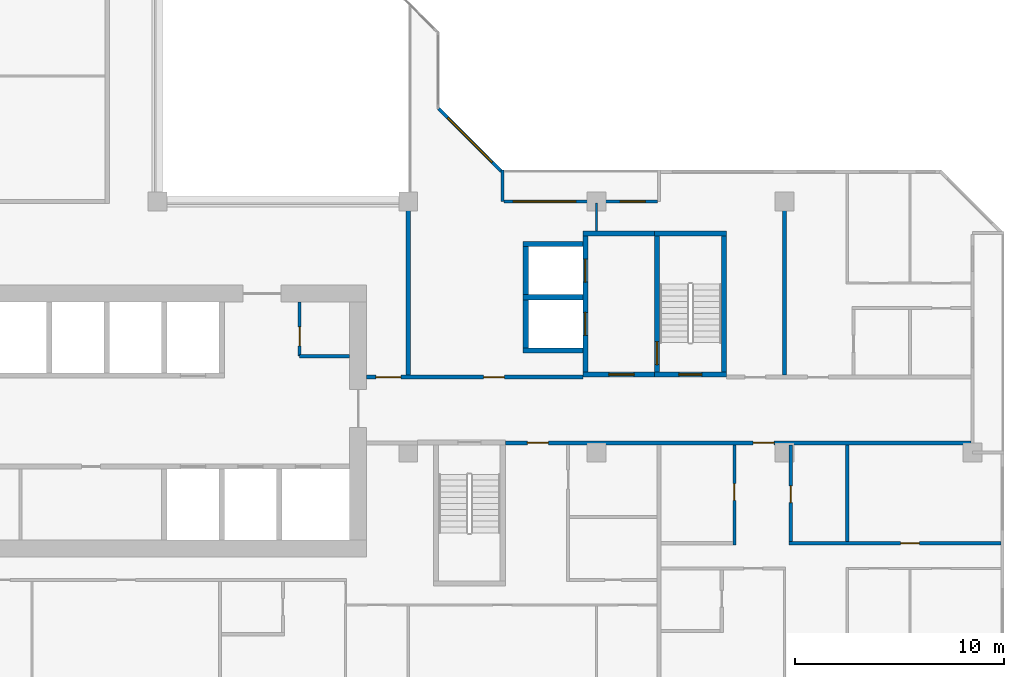
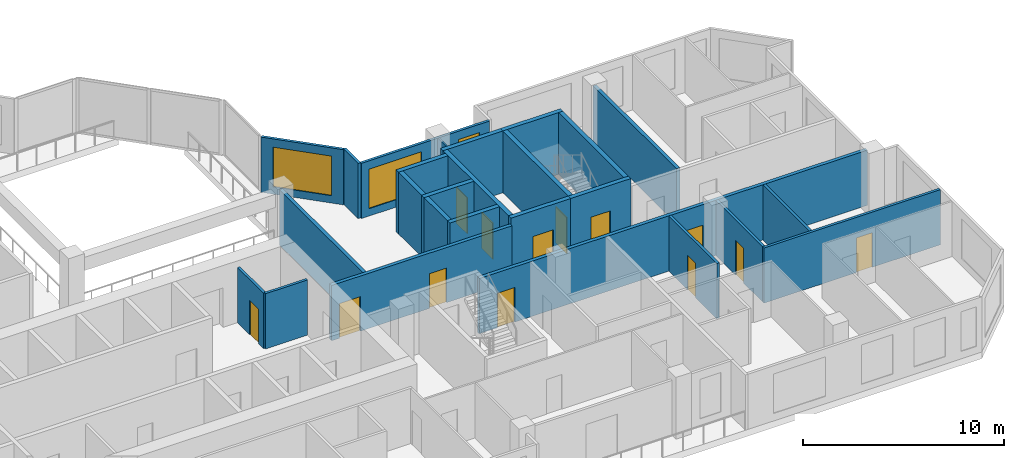
# One storey, part 7 of 14: 26 walls, 13 doors, 3 windows, 16 openings.
"""IFC4 building model written with IfcOpenShell, lengths in metres."""

from ifc_helpers import new_model, si_unit, direction, frame, frame_2d, origin, place, context, subcontext, project, spatial, rectangle, extrude, material, layer, layer_set, type_object, element, fill, save


model = new_model("IFC4")

# Units and contexts
model_context = context("Model", 3, precision=1e-05, world=origin(), true_north=direction((0.0, 1.0)))
body_context = subcontext(model_context, "Body", "Model", "MODEL_VIEW")
ifc_project = project(units=[si_unit("LENGTHUNIT", "METRE"), si_unit("AREAUNIT", "SQUARE_METRE"), si_unit("VOLUMEUNIT", "CUBIC_METRE"), si_unit("PLANEANGLEUNIT", "RADIAN"), si_unit("MASSUNIT", "GRAM", prefix="KILO")], contexts=[model_context])

# Site, building, storey
site_placement = place(None, origin())
site = spatial("IfcSite", under=ifc_project, at=site_placement, CompositionType="ELEMENT")
building_placement = place(site_placement, origin())
building = spatial("IfcBuilding", under=site, at=building_placement, Name="Chenar Terraces", CompositionType="ELEMENT")
storey_placement = place(building_placement, frame((0.0, 0.0, 168.64990234375)))
storey = spatial("IfcBuildingStorey", under=building, at=storey_placement, Name="L38", CompositionType="ELEMENT", Elevation=168.64990234375)

# Wall, opening, door
ifc_material_1 = material(Name="Gypsum board on steel studs", Category="steel")
ifc_layer_1 = layer(ifc_material_1, 0.14990234375)
ifc_layer_set_1 = layer_set([ifc_layer_1], Name="Gypsum board on steel studs")
wall_type_1 = type_object("IfcWallType", Name="Core partition 150 gypsum board", PredefinedType="PARTITIONING", material=ifc_layer_set_1)
wall_1_placement = place(storey_placement, frame((30.800048828125, 16.60009765625, 0.0), z_axis=(0.0, 0.0, 1.0), x_axis=(0.0, 1.0, 0.0)))
wall_1 = element("IfcWall", 1, at=wall_1_placement, inside=storey, type_object=wall_type_1, Name="Core partition CP1 vestibule room west wall", PredefinedType="PARTITIONING", context=body_context, shape_type="SweptSolid", body=[
    extrude(rectangle(XDim=2.599853515625, YDim=0.14990234375, at=frame_2d((1.2998046875, 0.0))), origin(), (0.0, 0.0, 1.0), 3.35009765625),
])
opening_1_placement = place(wall_1_placement, frame((0.5, 0.0, 0.0)))
opening_1 = element("IfcOpeningElement", 2, at=opening_1_placement, cuts=wall_1, Name="Opening DL38-C14", PredefinedType="OPENING", context=body_context, shape_type="SweptSolid", body=[
    extrude(rectangle(XDim=0.89990234375, YDim=2.10009765625, at=frame_2d((0.449951171875, 1.050048828125))), frame((0.0, 0.0849609375, 0.0), z_axis=(0.0, -1.0, 0.0), x_axis=(1.0, 0.0, 0.0)), (0.0, 0.0, 1.0), 0.169921875),
])
ifc_material_2 = material(Name="Steel-framed fire-resisting door leaf", Category="steel")
door_type_1 = type_object("IfcDoorType", Name="Riser fire door FD60 900 x 2100", OperationType="SINGLE_SWING_LEFT", PredefinedType="DOOR", material=ifc_material_2)
door_1_placement = place(opening_1_placement, frame((0.89990234375, 0.0, 0.0), z_axis=(0.0, 0.0, 1.0), x_axis=(-1.0, 0.0, 0.0)))
door_1 = element("IfcDoor", 3, at=door_1_placement, inside=storey, type_object=door_type_1, Name="Core room door DL38-C14", OperationType="SINGLE_SWING_RIGHT", OverallHeight=2.10009765625, OverallWidth=0.89990234375, PredefinedType="DOOR", context=body_context, shape_type="SweptSolid", body=[
    extrude(rectangle(XDim=0.89990234375, YDim=2.10009765625, at=frame_2d((0.449951171875, 1.050048828125))), frame((0.0, 0.02490234375, 0.0), z_axis=(0.0, -1.0, 0.0), x_axis=(1.0, 0.0, 0.0)), (0.0, 0.0, 1.0), 0.050048828125),
])
fill(opening_1, door_1)

# Wall
wall_2_placement = place(storey_placement, frame((30.800048828125, 16.60009765625, 0.0), z_axis=(0.0, 0.0, 1.0), x_axis=(1.0, 0.0, 0.0)))
element("IfcWall", 4, at=wall_2_placement, inside=storey, type_object=wall_type_1, Name="Core partition CP1 vestibule room south wall", PredefinedType="PARTITIONING", context=body_context, shape_type="SweptSolid", body=[
    extrude(rectangle(XDim=2.39990234375, YDim=0.14990234375, at=frame_2d((1.199951171875, 0.0))), origin(), (0.0, 0.0, 1.0), 3.35009765625),
])

# Wall, opening, door
ifc_material_3 = material(Name="Concrete C60/75", Category="concrete")
ifc_layer_2 = layer(ifc_material_3, 0.25)
ifc_layer_set_2 = layer_set([ifc_layer_2], Name="Concrete C60/75")
wall_type_2 = type_object("IfcWallType", Name="Core wall 250 Concrete C60/75", PredefinedType="SHEAR", material=ifc_layer_set_2)
wall_3_placement = place(storey_placement, frame((47.77490234375, 15.72509765625, 0.0), z_axis=(0.0, 0.0, 1.0), x_axis=(1.0, 0.0, 0.0)))
wall_3 = element("IfcWall", 5, at=wall_3_placement, inside=storey, type_object=wall_type_2, Name="Core wall ST3_S L38", PredefinedType="SHEAR", context=body_context, shape_type="SweptSolid", body=[
    extrude(rectangle(XDim=3.4501953125, YDim=0.25, at=frame_2d((1.72509765625, 0.0))), origin(), (0.0, 0.0, 1.0), 3.75),
])
opening_2_placement = place(wall_3_placement, frame((1.175048828125, 0.0, 0.0)))
opening_2 = element("IfcOpeningElement", 6, at=opening_2_placement, cuts=wall_3, Name="Opening DL38-C8", PredefinedType="OPENING", context=body_context, shape_type="SweptSolid", body=[
    extrude(rectangle(XDim=1.10009765625, YDim=2.199951171875, at=frame_2d((0.550048828125, 1.10009765625))), frame((0.0, 0.135009765625, 0.0), z_axis=(0.0, -1.0, 0.0), x_axis=(1.0, 0.0, 0.0)), (0.0, 0.0, 1.0), 0.27001953125),
])
ifc_material_4 = material(Name="Steel-framed fire-resisting door leaf", Category="steel")
door_type_2 = type_object("IfcDoorType", Name="Stair fire door FD60 1100 x 2200", OperationType="SINGLE_SWING_LEFT", PredefinedType="DOOR", material=ifc_material_4)
door_2_placement = place(opening_2_placement, frame((1.10009765625, 0.0, 0.0), z_axis=(0.0, 0.0, 1.0), x_axis=(-1.0, 0.0, 0.0)))
door_2 = element("IfcDoor", 7, at=door_2_placement, inside=storey, type_object=door_type_2, Name="Stair door DL38-C8", OperationType="SINGLE_SWING_LEFT", OverallHeight=2.199951171875, OverallWidth=1.10009765625, PredefinedType="DOOR", context=body_context, shape_type="SweptSolid", body=[
    extrude(rectangle(XDim=1.10009765625, YDim=2.199951171875, at=frame_2d((0.550048828125, 1.10009765625))), frame((0.0, 0.02490234375, 0.0), z_axis=(0.0, -1.0, 0.0), x_axis=(1.0, 0.0, 0.0)), (0.0, 0.0, 1.0), 0.050048828125),
])
fill(opening_2, door_2)

# Wall
wall_4_placement = place(storey_placement, frame((47.77490234375, 22.47509765625, 0.0), z_axis=(0.0, 0.0, 1.0), x_axis=(1.0, 0.0, 0.0)))
element("IfcWall", 8, at=wall_4_placement, inside=storey, type_object=wall_type_2, Name="Core wall ST3_N L38", PredefinedType="SHEAR", context=body_context, shape_type="SweptSolid", body=[
    extrude(rectangle(XDim=3.4501953125, YDim=0.25, at=frame_2d((1.72509765625, 0.0))), origin(), (0.0, 0.0, 1.0), 3.75),
])

# Wall, opening, door
wall_5_placement = place(storey_placement, frame((47.89990234375, 15.85009765625, 0.0), z_axis=(0.0, 0.0, 1.0), x_axis=(0.0, 1.0, 0.0)))
wall_5 = element("IfcWall", 9, at=wall_5_placement, inside=storey, type_object=wall_type_2, Name="Core wall ST3_W L38", PredefinedType="SHEAR", context=body_context, shape_type="SweptSolid", body=[
    extrude(rectangle(XDim=6.5, YDim=0.25, at=frame_2d((3.25, 0.0))), origin(), (0.0, 0.0, 1.0), 3.75),
])
opening_3_placement = place(wall_5_placement, frame((0.35009765625, 0.0, 0.0)))
opening_3 = element("IfcOpeningElement", 10, at=opening_3_placement, cuts=wall_5, Name="Opening DL38-C11", PredefinedType="OPENING", context=body_context, shape_type="SweptSolid", body=[
    extrude(rectangle(XDim=1.10009765625, YDim=2.199951171875, at=frame_2d((0.550048828125, 1.10009765625))), frame((0.0, 0.135009765625, 0.0), z_axis=(0.0, -1.0, 0.0), x_axis=(1.0, 0.0, 0.0)), (0.0, 0.0, 1.0), 0.27001953125),
])
door_3_placement = place(opening_3_placement, frame((1.10009765625, 0.0, 0.0), z_axis=(0.0, 0.0, 1.0), x_axis=(-1.0, 0.0, 0.0)))
door_3 = element("IfcDoor", 11, at=door_3_placement, inside=storey, type_object=door_type_2, Name="Stair door DL38-C11", OperationType="SINGLE_SWING_RIGHT", OverallHeight=2.199951171875, OverallWidth=1.10009765625, PredefinedType="DOOR", context=body_context, shape_type="SweptSolid", body=[
    extrude(rectangle(XDim=1.10009765625, YDim=2.199951171875, at=frame_2d((0.550048828125, 1.10009765625))), frame((0.0, 0.02490234375, 0.0), z_axis=(0.0, -1.0, 0.0), x_axis=(1.0, 0.0, 0.0)), (0.0, 0.0, 1.0), 0.050048828125),
])
fill(opening_3, door_3)

# Wall
wall_6_placement = place(storey_placement, frame((51.10009765625, 15.85009765625, 0.0), z_axis=(0.0, 0.0, 1.0), x_axis=(0.0, 1.0, 0.0)))
element("IfcWall", 12, at=wall_6_placement, inside=storey, type_object=wall_type_2, Name="Core wall ST3_E L38", PredefinedType="SHEAR", context=body_context, shape_type="SweptSolid", body=[
    extrude(rectangle(XDim=6.5, YDim=0.25, at=frame_2d((3.25, 0.0))), origin(), (0.0, 0.0, 1.0), 3.75),
])

# Wall, opening, door
wall_7_placement = place(storey_placement, frame((44.35009765625, 15.72509765625, 0.0), z_axis=(0.0, 0.0, 1.0), x_axis=(1.0, 0.0, 0.0)))
wall_7 = element("IfcWall", 13, at=wall_7_placement, inside=storey, type_object=wall_type_2, Name="Core wall F3_LS L38", PredefinedType="SHEAR", context=body_context, shape_type="SweptSolid", body=[
    extrude(rectangle(XDim=3.4248046875, YDim=0.25, at=frame_2d((1.71240234375, 0.0))), origin(), (0.0, 0.0, 1.0), 3.75),
])
opening_4_placement = place(wall_7_placement, frame((1.25, 0.0, 0.0)))
opening_4 = element("IfcOpeningElement", 14, at=opening_4_placement, cuts=wall_7, Name="Opening DL38-C10", PredefinedType="OPENING", context=body_context, shape_type="SweptSolid", body=[
    extrude(rectangle(XDim=1.199951171875, YDim=2.199951171875, at=frame_2d((0.60009765625, 1.10009765625))), frame((0.0, 0.135009765625, 0.0), z_axis=(0.0, -1.0, 0.0), x_axis=(1.0, 0.0, 0.0)), (0.0, 0.0, 1.0), 0.27001953125),
])
ifc_material_5 = material(Name="Steel-framed fire-resisting door leaf", Category="steel")
door_type_3 = type_object("IfcDoorType", Name="Lobby fire door FD60 1200 x 2200", OperationType="SINGLE_SWING_LEFT", PredefinedType="DOOR", material=ifc_material_5)
door_4_placement = place(opening_4_placement, origin())
door_4 = element("IfcDoor", 15, at=door_4_placement, inside=storey, type_object=door_type_3, Name="Core door DL38-C10", OperationType="SINGLE_SWING_RIGHT", OverallHeight=2.199951171875, OverallWidth=1.199951171875, PredefinedType="DOOR", context=body_context, shape_type="SweptSolid", body=[
    extrude(rectangle(XDim=1.199951171875, YDim=2.199951171875, at=frame_2d((0.60009765625, 1.10009765625))), frame((0.0, 0.02490234375, 0.0), z_axis=(0.0, -1.0, 0.0), x_axis=(1.0, 0.0, 0.0)), (0.0, 0.0, 1.0), 0.050048828125),
])
fill(opening_4, door_4)

# Wall
wall_8_placement = place(storey_placement, frame((44.35009765625, 22.47509765625, 0.0), z_axis=(0.0, 0.0, 1.0), x_axis=(1.0, 0.0, 0.0)))
element("IfcWall", 16, at=wall_8_placement, inside=storey, type_object=wall_type_2, Name="Core wall F3_LN L38", PredefinedType="SHEAR", context=body_context, shape_type="SweptSolid", body=[
    extrude(rectangle(XDim=3.4248046875, YDim=0.25, at=frame_2d((1.71240234375, 0.0))), origin(), (0.0, 0.0, 1.0), 3.75),
])

# Wall, openings, doors
wall_9_placement = place(storey_placement, frame((44.47509765625, 15.85009765625, 0.0), z_axis=(0.0, 0.0, 1.0), x_axis=(0.0, 1.0, 0.0)))
wall_9 = element("IfcWall", 17, at=wall_9_placement, inside=storey, type_object=wall_type_2, Name="Core wall F3_LW L38", PredefinedType="SHEAR", context=body_context, shape_type="SweptSolid", body=[
    extrude(rectangle(XDim=6.5, YDim=0.25, at=frame_2d((3.25, 0.0))), origin(), (0.0, 0.0, 1.0), 3.75),
])
opening_5_placement = place(wall_9_placement, frame((1.75, 0.0, 0.0)))
opening_5 = element("IfcOpeningElement", 18, at=opening_5_placement, cuts=wall_9, Name="Opening DL38-LD8", PredefinedType="OPENING", context=body_context, shape_type="SweptSolid", body=[
    extrude(rectangle(XDim=1.10009765625, YDim=2.199951171875, at=frame_2d((0.550048828125, 1.10009765625))), frame((0.0, 0.135009765625, 0.0), z_axis=(0.0, -1.0, 0.0), x_axis=(1.0, 0.0, 0.0)), (0.0, 0.0, 1.0), 0.27001953125),
])
opening_6_placement = place(wall_9_placement, frame((4.300048828125, 0.0, 0.0)))
opening_6 = element("IfcOpeningElement", 19, at=opening_6_placement, cuts=wall_9, Name="Opening DL38-LD9", PredefinedType="OPENING", context=body_context, shape_type="SweptSolid", body=[
    extrude(rectangle(XDim=1.10009765625, YDim=2.199951171875, at=frame_2d((0.550048828125, 1.10009765625))), frame((0.0, 0.135009765625, 0.0), z_axis=(0.0, -1.0, 0.0), x_axis=(1.0, 0.0, 0.0)), (0.0, 0.0, 1.0), 0.27001953125),
])
ifc_material_6 = material(Name="Stainless steel", Category="steel")
door_type_4 = type_object("IfcDoorType", Name="Lift landing door 1100 x 2200 sliding", OperationType="DOUBLE_DOOR_SLIDING", PredefinedType="DOOR", material=ifc_material_6)
door_5_placement = place(opening_5_placement, origin())
door_5 = element("IfcDoor", 20, at=door_5_placement, inside=storey, type_object=door_type_4, Name="Landing door F3", OperationType="DOUBLE_DOOR_SLIDING", OverallHeight=2.199951171875, OverallWidth=1.10009765625, PredefinedType="DOOR", context=body_context, shape_type="SweptSolid", body=[
    extrude(rectangle(XDim=1.10009765625, YDim=2.199951171875, at=frame_2d((0.550048828125, 1.10009765625))), frame((0.0, 0.02490234375, 0.0), z_axis=(0.0, -1.0, 0.0), x_axis=(1.0, 0.0, 0.0)), (0.0, 0.0, 1.0), 0.050048828125),
])
fill(opening_5, door_5)
door_6_placement = place(opening_6_placement, origin())
door_6 = element("IfcDoor", 21, at=door_6_placement, inside=storey, type_object=door_type_4, Name="Landing door F4", OperationType="DOUBLE_DOOR_SLIDING", OverallHeight=2.199951171875, OverallWidth=1.10009765625, PredefinedType="DOOR", context=body_context, shape_type="SweptSolid", body=[
    extrude(rectangle(XDim=1.10009765625, YDim=2.199951171875, at=frame_2d((0.550048828125, 1.10009765625))), frame((0.0, 0.02490234375, 0.0), z_axis=(0.0, -1.0, 0.0), x_axis=(1.0, 0.0, 0.0)), (0.0, 0.0, 1.0), 0.050048828125),
])
fill(opening_6, door_6)

# Walls
for number, where, z_axis, x_axis, name in (
    (22, (41.5, 16.875, 0.0), (0.0, 0.0, 1.0), (1.0, 0.0, 0.0), "Core wall F3_SS L38"),
    (23, (41.5, 19.425048828125, 0.0), (0.0, 0.0, 1.0), (1.0, 0.0, 0.0), "Core wall F3_SM L38"),
    (24, (41.5, 21.97509765625, 0.0), (0.0, 0.0, 1.0), (1.0, 0.0, 0.0), "Core wall F4_SN L38"),
):
    element("IfcWall", number, at=place(storey_placement, frame(where, z_axis=z_axis, x_axis=x_axis)), inside=storey, type_object=wall_type_2, Name=name, PredefinedType="SHEAR", context=body_context, shape_type="SweptSolid", body=[
        extrude(rectangle(XDim=2.85009765625, YDim=0.25, at=frame_2d((1.425048828125, 0.0))), origin(), (0.0, 0.0, 1.0), 3.75),
    ])
for number, where, z_axis, x_axis, name in (
    (25, (41.625, 17.0, 0.0), (0.0, 0.0, 1.0), (0.0, 1.0, 0.0), "Core wall F3_SW L38"),
    (26, (41.625, 19.550048828125, 0.0), (0.0, 0.0, 1.0), (0.0, 1.0, 0.0), "Core wall F4_SW L38"),
):
    element("IfcWall", number, at=place(storey_placement, frame(where, z_axis=z_axis, x_axis=x_axis)), inside=storey, type_object=wall_type_2, Name=name, PredefinedType="SHEAR", context=body_context, shape_type="SweptSolid", body=[
        extrude(rectangle(XDim=2.300048828125, YDim=0.25, at=frame_2d((1.14990234375, 0.0))), origin(), (0.0, 0.0, 1.0), 3.75),
    ])

# Wall, openings, doors
ifc_material_7 = material(Name="Gypsum board on steel studs with fire boards", Category="steel")
ifc_layer_3 = layer(ifc_material_7, 0.199951171875)
ifc_layer_set_3 = layer_set([ifc_layer_3], Name="Gypsum board on steel studs with fire boards")
wall_type_3 = type_object("IfcWallType", Name="Corridor wall 200", PredefinedType="PARTITIONING", material=ifc_layer_set_3)
wall_10_placement = place(storey_placement, frame((34.0, 15.60009765625, 0.0), z_axis=(0.0, 0.0, 1.0), x_axis=(1.0, 0.0, 0.0)))
wall_10 = element("IfcWall", 27, at=wall_10_placement, inside=storey, type_object=wall_type_3, Name="Partition L38-060", PredefinedType="PARTITIONING", context=body_context, shape_type="SweptSolid", body=[
    extrude(rectangle(XDim=10.35009765625, YDim=0.199951171875, at=frame_2d((5.175048828125, 0.0))), origin(), (0.0, 0.0, 1.0), 3.35009765625),
])
opening_7_placement = place(wall_10_placement, frame((5.60009765625, 0.0, 0.0)))
opening_7 = element("IfcOpeningElement", 28, at=opening_7_placement, cuts=wall_10, Name="Opening DL38-3", PredefinedType="OPENING", context=body_context, shape_type="SweptSolid", body=[
    extrude(rectangle(XDim=1.0, YDim=2.10009765625, at=frame_2d((0.5, 1.050048828125))), frame((0.0, 0.10986328125, 0.0), z_axis=(0.0, -1.0, 0.0), x_axis=(1.0, 0.0, 0.0)), (0.0, 0.0, 1.0), 0.219970703125),
])
opening_8_placement = place(wall_10_placement, frame((0.449951171875, 0.0, 0.0)))
opening_8 = element("IfcOpeningElement", 29, at=opening_8_placement, cuts=wall_10, Name="Opening DL38-39", PredefinedType="OPENING", context=body_context, shape_type="SweptSolid", body=[
    extrude(rectangle(XDim=1.199951171875, YDim=2.10009765625, at=frame_2d((0.60009765625, 1.050048828125))), frame((0.0, 0.10986328125, 0.0), z_axis=(0.0, -1.0, 0.0), x_axis=(1.0, 0.0, 0.0)), (0.0, 0.0, 1.0), 0.219970703125),
])
ifc_material_8 = material(Name="Steel-framed fire-resisting door leaf", Category="steel")
door_type_5 = type_object("IfcDoorType", Name="Fire door FD60 1000 x 2100", OperationType="SINGLE_SWING_LEFT", PredefinedType="DOOR", material=ifc_material_8)
door_7_placement = place(opening_7_placement, origin())
door_7 = element("IfcDoor", 30, at=door_7_placement, inside=storey, type_object=door_type_5, Name="Door DL38-3", OperationType="SINGLE_SWING_RIGHT", OverallHeight=2.10009765625, OverallWidth=1.0, PredefinedType="DOOR", context=body_context, shape_type="SweptSolid", body=[
    extrude(rectangle(XDim=1.0, YDim=2.10009765625, at=frame_2d((0.5, 1.050048828125))), frame((0.0, 0.02490234375, 0.0), z_axis=(0.0, -1.0, 0.0), x_axis=(1.0, 0.0, 0.0)), (0.0, 0.0, 1.0), 0.050048828125),
])
fill(opening_7, door_7)
ifc_material_9 = material(Name="Steel-framed fire-resisting door leaf", Category="steel")
door_type_6 = type_object("IfcDoorType", Name="Fire door FD60 1200 x 2100", OperationType="SINGLE_SWING_LEFT", PredefinedType="DOOR", material=ifc_material_9)
door_8_placement = place(opening_8_placement, origin())
door_8 = element("IfcDoor", 31, at=door_8_placement, inside=storey, type_object=door_type_6, Name="Door DL38-39", OperationType="SINGLE_SWING_RIGHT", OverallHeight=2.10009765625, OverallWidth=1.199951171875, PredefinedType="DOOR", context=body_context, shape_type="SweptSolid", body=[
    extrude(rectangle(XDim=1.199951171875, YDim=2.10009765625, at=frame_2d((0.60009765625, 1.050048828125))), frame((0.0, 0.02490234375, 0.0), z_axis=(0.0, -1.0, 0.0), x_axis=(1.0, 0.0, 0.0)), (0.0, 0.0, 1.0), 0.050048828125),
])
fill(opening_8, door_8)

# Wall
wall_11_placement = place(storey_placement, frame((36.0, 15.699951171875, 0.0), z_axis=(0.0, 0.0, 1.0), x_axis=(0.0, 1.0, 0.0)))
element("IfcWall", 32, at=wall_11_placement, inside=storey, type_object=wall_type_3, Name="Partition L38-062", PredefinedType="PARTITIONING", context=body_context, shape_type="SweptSolid", body=[
    extrude(rectangle(XDim=8.300048828125, YDim=0.199951171875, at=frame_2d((4.14990234375, 0.0))), origin(), (0.0, 0.0, 1.0), 3.35009765625),
])

# Wall, openings, doors
wall_12_placement = place(storey_placement, frame((40.64990234375, 12.449951171875, 0.0), z_axis=(0.0, 0.0, 1.0), x_axis=(1.0, 0.0, 0.0)))
wall_12 = element("IfcWall", 33, at=wall_12_placement, inside=storey, type_object=wall_type_3, Name="Partition L38-063", PredefinedType="PARTITIONING", context=body_context, shape_type="SweptSolid", body=[
    extrude(rectangle(XDim=22.276123046875, YDim=0.199951171875, at=frame_2d((11.13818359375, 0.0))), origin(), (0.0, 0.0, 1.0), 3.35009765625),
])
opening_9_placement = place(wall_12_placement, frame((11.85009765625, 0.0, 0.0)))
opening_9 = element("IfcOpeningElement", 34, at=opening_9_placement, cuts=wall_12, Name="Opening DL38-16", PredefinedType="OPENING", context=body_context, shape_type="SweptSolid", body=[
    extrude(rectangle(XDim=1.0, YDim=2.10009765625, at=frame_2d((0.5, 1.050048828125))), frame((0.0, 0.10986328125, 0.0), z_axis=(0.0, -1.0, 0.0), x_axis=(1.0, 0.0, 0.0)), (0.0, 0.0, 1.0), 0.219970703125),
])
opening_10_placement = place(wall_12_placement, frame((1.050048828125, 0.0, 0.0)))
opening_10 = element("IfcOpeningElement", 35, at=opening_10_placement, cuts=wall_12, Name="Opening DL38-54", PredefinedType="OPENING", context=body_context, shape_type="SweptSolid", body=[
    extrude(rectangle(XDim=1.0, YDim=2.10009765625, at=frame_2d((0.5, 1.050048828125))), frame((0.0, 0.10986328125, 0.0), z_axis=(0.0, -1.0, 0.0), x_axis=(1.0, 0.0, 0.0)), (0.0, 0.0, 1.0), 0.219970703125),
])
ifc_material_10 = material(Name="Steel-framed fire-resisting door leaf", Category="steel")
door_type_7 = type_object("IfcDoorType", Name="Fire door FD30S 1000 x 2100", OperationType="SINGLE_SWING_LEFT", PredefinedType="DOOR", material=ifc_material_10)
door_9_placement = place(opening_9_placement, frame((1.0, 0.0, 0.0), z_axis=(0.0, 0.0, 1.0), x_axis=(-1.0, 0.0, 0.0)))
door_9 = element("IfcDoor", 36, at=door_9_placement, inside=storey, type_object=door_type_7, Name="Door DL38-16", OperationType="SINGLE_SWING_LEFT", OverallHeight=2.10009765625, OverallWidth=1.0, PredefinedType="DOOR", context=body_context, shape_type="SweptSolid", body=[
    extrude(rectangle(XDim=1.0, YDim=2.10009765625, at=frame_2d((0.5, 1.050048828125))), frame((0.0, 0.02490234375, 0.0), z_axis=(0.0, -1.0, 0.0), x_axis=(1.0, 0.0, 0.0)), (0.0, 0.0, 1.0), 0.050048828125),
])
fill(opening_9, door_9)
door_10_placement = place(opening_10_placement, origin())
door_10 = element("IfcDoor", 37, at=door_10_placement, inside=storey, type_object=door_type_7, Name="Door DL38-54", OperationType="SINGLE_SWING_LEFT", OverallHeight=2.10009765625, OverallWidth=1.0, PredefinedType="DOOR", context=body_context, shape_type="SweptSolid", body=[
    extrude(rectangle(XDim=1.0, YDim=2.10009765625, at=frame_2d((0.5, 1.050048828125))), frame((0.0, 0.02490234375, 0.0), z_axis=(0.0, -1.0, 0.0), x_axis=(1.0, 0.0, 0.0)), (0.0, 0.0, 1.0), 0.050048828125),
])
fill(opening_10, door_10)

# Wall, openings, windows
ifc_material_11 = material(Name="Aluminium framed glazing", Category="aluminium")
ifc_layer_4 = layer(ifc_material_11, 0.14990234375)
ifc_layer_set_4 = layer_set([ifc_layer_4], Name="Aluminium framed glazing")
wall_type_4 = type_object("IfcWallType", Name="Glazed loggia back wall 150", PredefinedType="SOLIDWALL", material=ifc_layer_set_4)
wall_13_placement = place(storey_placement, frame((47.925048828125, 24.0, 0.0), z_axis=(0.0, 0.0, 1.0), x_axis=(-1.0, 0.0, 0.0)))
wall_13 = element("IfcWall", 38, at=wall_13_placement, inside=storey, type_object=wall_type_4, Name="Glazed loggia back wall", PredefinedType="SOLIDWALL", context=body_context, shape_type="SweptSolid", body=[
    extrude(rectangle(XDim=7.35009765625, YDim=0.14990234375, at=frame_2d((3.675048828125, 0.0))), origin(), (0.0, 0.0, 1.0), 3.35009765625),
])
opening_11_placement = place(wall_13_placement, frame((0.58740234375, 0.0, 0.449951171875)))
opening_11 = element("IfcOpeningElement", 39, at=opening_11_placement, cuts=wall_13, Name="Opening W120x240", PredefinedType="OPENING", context=body_context, shape_type="SweptSolid", body=[
    extrude(rectangle(XDim=1.199951171875, YDim=2.39990234375, at=frame_2d((0.60009765625, 1.199951171875))), frame((0.0, 0.0849609375, 0.0), z_axis=(0.0, -1.0, 0.0), x_axis=(1.0, 0.0, 0.0)), (0.0, 0.0, 1.0), 0.169921875),
])
opening_12_placement = place(wall_13_placement, frame((3.91259765625, 0.0, 0.449951171875)))
opening_12 = element("IfcOpeningElement", 40, at=opening_12_placement, cuts=wall_13, Name="Opening W300x240", PredefinedType="OPENING", context=body_context, shape_type="SweptSolid", body=[
    extrude(rectangle(XDim=3.0, YDim=2.39990234375, at=frame_2d((1.5, 1.199951171875))), frame((0.0, 0.0849609375, 0.0), z_axis=(0.0, -1.0, 0.0), x_axis=(1.0, 0.0, 0.0)), (0.0, 0.0, 1.0), 0.169921875),
])
ifc_material_12 = material(Name="Low emissivity double glazing, aluminium frame", Category="aluminium")
window_type_1 = type_object("IfcWindowType", Name="Fixed light 1200 x 2400", PartitioningType="SINGLE_PANEL", PredefinedType="WINDOW", material=ifc_material_12)
window_1_placement = place(opening_11_placement, origin())
window_1 = element("IfcWindow", 41, at=window_1_placement, inside=storey, type_object=window_type_1, Name="Window", OverallHeight=2.39990234375, OverallWidth=1.199951171875, PartitioningType="SINGLE_PANEL", PredefinedType="WINDOW", context=body_context, shape_type="SweptSolid", body=[
    extrude(rectangle(XDim=1.199951171875, YDim=2.39990234375, at=frame_2d((0.60009765625, 1.199951171875))), frame((0.0, 0.030029296875, 0.0), z_axis=(0.0, -1.0, 0.0), x_axis=(1.0, 0.0, 0.0)), (0.0, 0.0, 1.0), 0.06005859375),
])
fill(opening_11, window_1)
ifc_material_13 = material(Name="Low emissivity double glazing, aluminium frame", Category="aluminium")
window_type_2 = type_object("IfcWindowType", Name="Fixed light 3000 x 2400", PartitioningType="SINGLE_PANEL", PredefinedType="WINDOW", material=ifc_material_13)
window_2_placement = place(opening_12_placement, origin())
window_2 = element("IfcWindow", 42, at=window_2_placement, inside=storey, type_object=window_type_2, Name="Window", OverallHeight=2.39990234375, OverallWidth=3.0, PartitioningType="SINGLE_PANEL", PredefinedType="WINDOW", context=body_context, shape_type="SweptSolid", body=[
    extrude(rectangle(XDim=3.0, YDim=2.39990234375, at=frame_2d((1.5, 1.199951171875))), frame((0.0, 0.030029296875, 0.0), z_axis=(0.0, -1.0, 0.0), x_axis=(1.0, 0.0, 0.0)), (0.0, 0.0, 1.0), 0.06005859375),
])
fill(opening_12, window_2)

# Walls
ifc_material_14 = material(Name="Gypsum board on steel studs", Category="steel")
ifc_layer_5 = layer(ifc_material_14, 0.10009765625)
ifc_layer_set_5 = layer_set([ifc_layer_5], Name="Gypsum board on steel studs")
wall_type_5 = type_object("IfcWallType", Name="Gypsum partition 100", PredefinedType="PARTITIONING", material=ifc_layer_set_5)
wall_14_placement = place(storey_placement, frame((45.0, 22.60009765625, 0.0), z_axis=(0.0, 0.0, 1.0), x_axis=(0.0, 1.0, 0.0)))
element("IfcWall", 43, at=wall_14_placement, inside=storey, type_object=wall_type_5, Name="Partition L38-068", PredefinedType="PARTITIONING", context=body_context, shape_type="SweptSolid", body=[
    extrude(rectangle(XDim=1.325927734375, YDim=0.10009765625, at=frame_2d((0.6630859375, 0.0))), origin(), (0.0, 0.0, 1.0), 3.35009765625),
])
ifc_material_15 = material(Name="Terracotta cladding on insulated backing", Category="masonry")
ifc_layer_6 = layer(ifc_material_15, 0.14990234375)
ifc_layer_set_6 = layer_set([ifc_layer_6], Name="Terracotta cladding on insulated backing")
wall_type_6 = type_object("IfcWallType", Name="Loggia return wall 150", PredefinedType="SOLIDWALL", material=ifc_layer_set_6)
wall_15_placement = place(storey_placement, frame((40.5, 25.5, 0.0), z_axis=(0.0, 0.0, 1.0), x_axis=(0.0, -1.0, 0.0)))
element("IfcWall", 44, at=wall_15_placement, inside=storey, type_object=wall_type_6, Name="Loggia return wall", PredefinedType="SOLIDWALL", context=body_context, shape_type="SweptSolid", body=[
    extrude(rectangle(XDim=1.5, YDim=0.14990234375, at=frame_2d((0.75, 0.0))), origin(), (0.0, 0.0, 1.0), 3.35009765625),
])

# Wall, opening, window
ifc_material_16 = material(Name="Terracotta cladding on insulated backing", Category="masonry")
ifc_layer_7 = layer(ifc_material_16, 0.14990234375)
ifc_layer_set_7 = layer_set([ifc_layer_7], Name="Terracotta cladding on insulated backing")
wall_type_7 = type_object("IfcWallType", Name="Terracotta rainscreen wall 150", PredefinedType="SOLIDWALL", material=ifc_layer_set_7)
wall_16_placement = place(storey_placement, frame((40.447021484375, 25.447021484375, 0.0), z_axis=(0.0, 0.0, 1.0), x_axis=(-0.707106781187, 0.707106781187, 0.0)))
wall_16 = element("IfcWall", 45, at=wall_16_placement, inside=storey, type_object=wall_type_7, Name="Terracotta rainscreen wall", PredefinedType="SOLIDWALL", context=body_context, shape_type="SweptSolid", body=[
    extrude(rectangle(XDim=4.24267578125, YDim=0.14990234375, at=frame_2d((2.121337890625, 0.0))), origin(), (0.0, 0.0, 1.0), 3.35009765625),
])
opening_13_placement = place(wall_16_placement, frame((0.621337890625, 0.0, 0.449951171875)))
opening_13 = element("IfcOpeningElement", 46, at=opening_13_placement, cuts=wall_16, Name="Opening W300x240", PredefinedType="OPENING", context=body_context, shape_type="SweptSolid", body=[
    extrude(rectangle(XDim=3.0, YDim=2.39990234375, at=frame_2d((1.5, 1.199951171875))), frame((0.0, 0.0849609375, 0.0), z_axis=(0.0, -1.0, 0.0), x_axis=(1.0, 0.0, 0.0)), (0.0, 0.0, 1.0), 0.169921875),
])
window_3_placement = place(opening_13_placement, origin())
window_3 = element("IfcWindow", 47, at=window_3_placement, inside=storey, type_object=window_type_2, Name="Window", OverallHeight=2.39990234375, OverallWidth=3.0, PartitioningType="SINGLE_PANEL", PredefinedType="WINDOW", context=body_context, shape_type="SweptSolid", body=[
    extrude(rectangle(XDim=3.0, YDim=2.39990234375, at=frame_2d((1.5, 1.199951171875))), frame((0.0, 0.030029296875, 0.0), z_axis=(0.0, -1.0, 0.0), x_axis=(1.0, 0.0, 0.0)), (0.0, 0.0, 1.0), 0.06005859375),
])
fill(opening_13, window_3)

# Wall
ifc_material_17 = material(Name="Twin gypsum board on steel studs with mineral wool", Category="steel")
ifc_layer_8 = layer(ifc_material_17, 0.199951171875)
ifc_layer_set_8 = layer_set([ifc_layer_8], Name="Twin gypsum board on steel studs with mineral wool")
wall_type_8 = type_object("IfcWallType", Name="Unit demising wall 200", PredefinedType="PARTITIONING", material=ifc_layer_set_8)
wall_17_placement = place(storey_placement, frame((54.0, 15.699951171875, 0.0), z_axis=(0.0, 0.0, 1.0), x_axis=(0.0, 1.0, 0.0)))
element("IfcWall", 48, at=wall_17_placement, inside=storey, type_object=wall_type_8, Name="Partition L38-077", PredefinedType="PARTITIONING", context=body_context, shape_type="SweptSolid", body=[
    extrude(rectangle(XDim=8.300048828125, YDim=0.199951171875, at=frame_2d((4.14990234375, 0.0))), origin(), (0.0, 0.0, 1.0), 3.35009765625),
])

# Wall, opening, door
ifc_material_18 = material(Name="Moisture-resistant gypsum board on steel studs", Category="steel")
ifc_layer_9 = layer(ifc_material_18, 0.14990234375)
ifc_layer_set_9 = layer_set([ifc_layer_9], Name="Moisture-resistant gypsum board on steel studs")
wall_type_9 = type_object("IfcWallType", Name="Wet-room partition 150", PredefinedType="PARTITIONING", material=ifc_layer_set_9)
wall_18_placement = place(storey_placement, frame((51.60009765625, 7.574951171875, 0.0), z_axis=(0.0, 0.0, 1.0), x_axis=(0.0, 1.0, 0.0)))
wall_18 = element("IfcWall", 49, at=wall_18_placement, inside=storey, type_object=wall_type_9, Name="Partition L38-075", PredefinedType="PARTITIONING", context=body_context, shape_type="SweptSolid", body=[
    extrude(rectangle(XDim=4.775146484375, YDim=0.14990234375, at=frame_2d((2.3876953125, 0.0))), origin(), (0.0, 0.0, 1.0), 3.35009765625),
])
opening_14_placement = place(wall_18_placement, frame((2.125, 0.0, 0.0)))
opening_14 = element("IfcOpeningElement", 50, at=opening_14_placement, cuts=wall_18, Name="Opening DL38-15", PredefinedType="OPENING", context=body_context, shape_type="SweptSolid", body=[
    extrude(rectangle(XDim=0.800048828125, YDim=2.10009765625, at=frame_2d((0.39990234375, 1.050048828125))), frame((0.0, 0.0849609375, 0.0), z_axis=(0.0, -1.0, 0.0), x_axis=(1.0, 0.0, 0.0)), (0.0, 0.0, 1.0), 0.169921875),
])
ifc_material_19 = material(Name="Veneered timber door leaf", Category="wood")
door_type_8 = type_object("IfcDoorType", Name="Door 800 x 2100", OperationType="SINGLE_SWING_LEFT", PredefinedType="DOOR", material=ifc_material_19)
door_11_placement = place(opening_14_placement, origin())
door_11 = element("IfcDoor", 51, at=door_11_placement, inside=storey, type_object=door_type_8, Name="Door DL38-15", OperationType="SINGLE_SWING_LEFT", OverallHeight=2.10009765625, OverallWidth=0.800048828125, PredefinedType="DOOR", context=body_context, shape_type="SweptSolid", body=[
    extrude(rectangle(XDim=0.800048828125, YDim=2.10009765625, at=frame_2d((0.39990234375, 1.050048828125))), frame((0.0, 0.02490234375, 0.0), z_axis=(0.0, -1.0, 0.0), x_axis=(1.0, 0.0, 0.0)), (0.0, 0.0, 1.0), 0.050048828125),
])
fill(opening_14, door_11)

wall_19_placement = place(storey_placement, frame((54.22509765625, 7.64990234375, 0.0), z_axis=(0.0, 0.0, 1.0), x_axis=(1.0, 0.0, 0.0)))
wall_19 = element("IfcWall", 52, at=wall_19_placement, inside=storey, type_object=wall_type_9, Name="Partition L38-078", PredefinedType="PARTITIONING", context=body_context, shape_type="SweptSolid", body=[
    extrude(rectangle(XDim=10.125, YDim=0.14990234375, at=frame_2d((5.0625, 0.0))), origin(), (0.0, 0.0, 1.0), 3.35009765625),
])
opening_15_placement = place(wall_19_placement, frame((5.324951171875, 0.0, 0.0)))
opening_15 = element("IfcOpeningElement", 53, at=opening_15_placement, cuts=wall_19, Name="Opening DL38-14", PredefinedType="OPENING", context=body_context, shape_type="SweptSolid", body=[
    extrude(rectangle(XDim=0.89990234375, YDim=2.10009765625, at=frame_2d((0.449951171875, 1.050048828125))), frame((0.0, 0.0849609375, 0.0), z_axis=(0.0, -1.0, 0.0), x_axis=(1.0, 0.0, 0.0)), (0.0, 0.0, 1.0), 0.169921875),
])
ifc_material_20 = material(Name="Veneered timber door leaf", Category="wood")
door_type_9 = type_object("IfcDoorType", Name="Door 900 x 2100", OperationType="SINGLE_SWING_LEFT", PredefinedType="DOOR", material=ifc_material_20)
door_12_placement = place(opening_15_placement, origin())
door_12 = element("IfcDoor", 54, at=door_12_placement, inside=storey, type_object=door_type_9, Name="Door DL38-14", OperationType="SINGLE_SWING_LEFT", OverallHeight=2.10009765625, OverallWidth=0.89990234375, PredefinedType="DOOR", context=body_context, shape_type="SweptSolid", body=[
    extrude(rectangle(XDim=0.89990234375, YDim=2.10009765625, at=frame_2d((0.449951171875, 1.050048828125))), frame((0.0, 0.02490234375, 0.0), z_axis=(0.0, -1.0, 0.0), x_axis=(1.0, 0.0, 0.0)), (0.0, 0.0, 1.0), 0.050048828125),
])
fill(opening_15, door_12)

wall_20_placement = place(storey_placement, frame((54.300048828125, 7.72509765625, 0.0), z_axis=(0.0, 0.0, 1.0), x_axis=(0.0, 1.0, 0.0)))
wall_20 = element("IfcWall", 55, at=wall_20_placement, inside=storey, type_object=wall_type_9, Name="Partition L38-079", PredefinedType="PARTITIONING", context=body_context, shape_type="SweptSolid", body=[
    extrude(rectangle(XDim=4.625, YDim=0.14990234375, at=frame_2d((2.3125, 0.0))), origin(), (0.0, 0.0, 1.0), 3.35009765625),
])
opening_16_placement = place(wall_20_placement, frame((1.875, 0.0, 0.0)))
opening_16 = element("IfcOpeningElement", 56, at=opening_16_placement, cuts=wall_20, Name="Opening DL38-9", PredefinedType="OPENING", context=body_context, shape_type="SweptSolid", body=[
    extrude(rectangle(XDim=0.800048828125, YDim=2.10009765625, at=frame_2d((0.39990234375, 1.050048828125))), frame((0.0, 0.0849609375, 0.0), z_axis=(0.0, -1.0, 0.0), x_axis=(1.0, 0.0, 0.0)), (0.0, 0.0, 1.0), 0.169921875),
])
door_13_placement = place(opening_16_placement, frame((0.800048828125, 0.0, 0.0), z_axis=(0.0, 0.0, 1.0), x_axis=(-1.0, 0.0, 0.0)))
door_13 = element("IfcDoor", 57, at=door_13_placement, inside=storey, type_object=door_type_8, Name="Door DL38-9", OperationType="SINGLE_SWING_LEFT", OverallHeight=2.10009765625, OverallWidth=0.800048828125, PredefinedType="DOOR", context=body_context, shape_type="SweptSolid", body=[
    extrude(rectangle(XDim=0.800048828125, YDim=2.10009765625, at=frame_2d((0.39990234375, 1.050048828125))), frame((0.0, 0.02490234375, 0.0), z_axis=(0.0, -1.0, 0.0), x_axis=(1.0, 0.0, 0.0)), (0.0, 0.0, 1.0), 0.050048828125),
])
fill(opening_16, door_13)

# Wall
wall_21_placement = place(storey_placement, frame((57.0, 7.72509765625, 0.0), z_axis=(0.0, 0.0, 1.0), x_axis=(0.0, 1.0, 0.0)))
element("IfcWall", 58, at=wall_21_placement, inside=storey, type_object=wall_type_9, Name="Partition L38-082", PredefinedType="PARTITIONING", context=body_context, shape_type="SweptSolid", body=[
    extrude(rectangle(XDim=4.625, YDim=0.14990234375, at=frame_2d((2.3125, 0.0))), origin(), (0.0, 0.0, 1.0), 3.35009765625),
])

save(model, "model.ifc")
